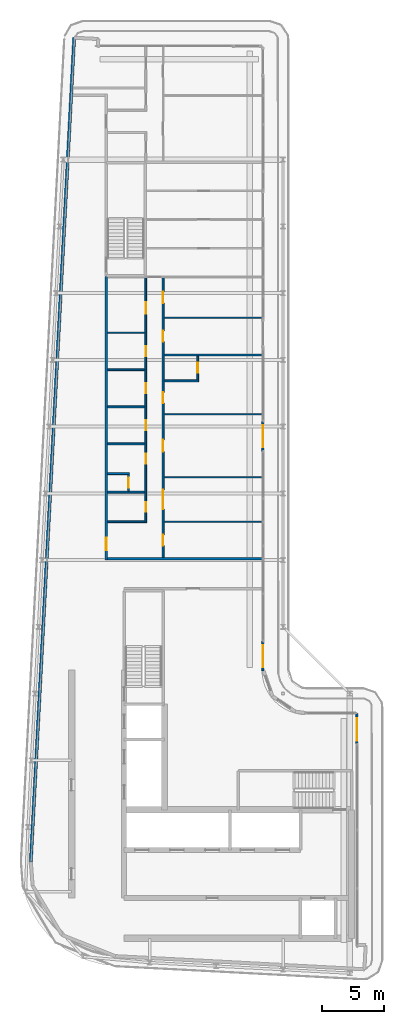
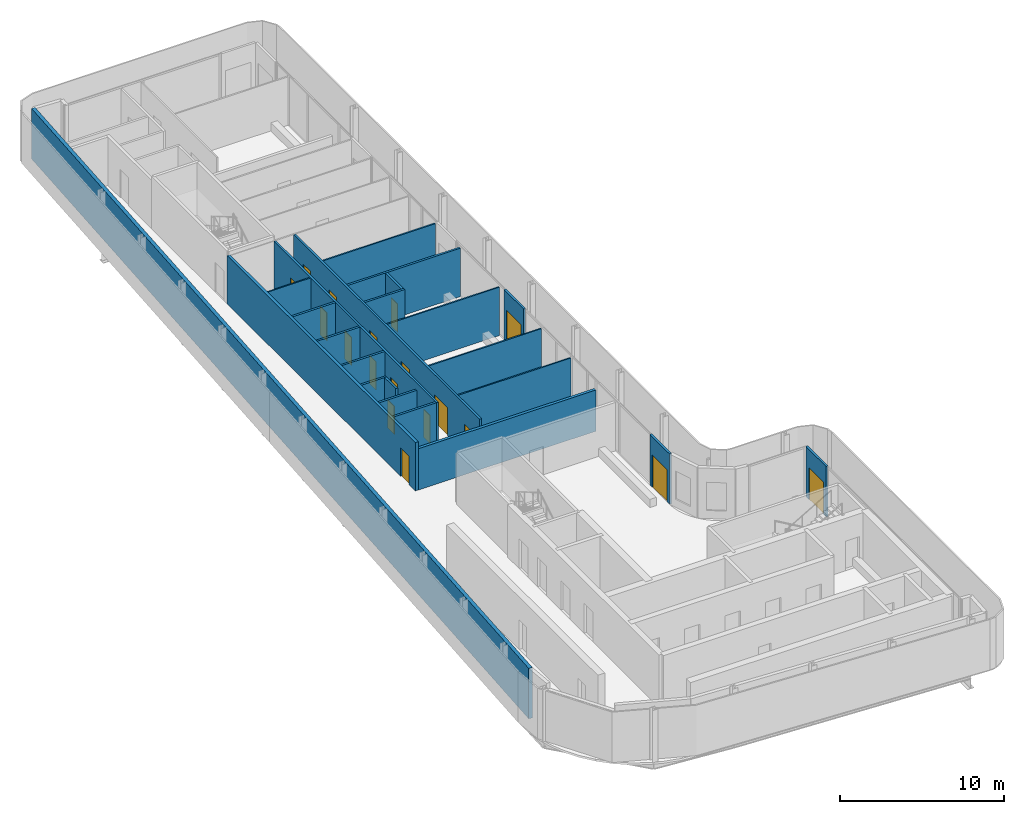
# One storey, part 10 of 18: 23 walls, 18 doors, 18 openings.
"""IFC4 building model written with IfcOpenShell, lengths in metres."""

import ifcopenshell
import ifcopenshell.guid

model = None  # the IFC model being written
_history = None  # IfcOwnerHistory: only IFC2X3 demands one
_inside = {}  # id of a spatial element -> (the spatial element, [elements in it])
_under = {}  # id of a project, library or spatial element -> (it, [spatial elements below it])
_declared = {}  # id of a project -> (the project, [libraries it declares])
_typed = {}  # id of a type object -> (the type object, [elements of that type])
_made_of = {}  # id of a material, layer set ... -> (it, [elements and type objects made of it])


def new_model(schema):
    """Start an empty IFC model of exactly this schema.

    Asked for "IFC4X3", IfcOpenShell would pick the latest addendum, in which some entities
    have other attributes; the version numbers below select the first issue.
    IFC2X3 requires an IfcOwnerHistory on every rooted entity: one is made here for all.
    """
    global model, _history
    if schema == "IFC4X3":
        model = ifcopenshell.file(schema_version=(4, 3, 0, 0))
    else:
        model = ifcopenshell.file(schema=schema)
    _inside.clear()
    _under.clear()
    _declared.clear()
    _typed.clear()
    _made_of.clear()
    _history = None
    if model.schema == "IFC2X3":
        org = make("IfcOrganization", Name="unknown")
        user = make(
            "IfcPersonAndOrganization",
            ThePerson=make("IfcPerson", FamilyName="unknown"),
            TheOrganization=org,
        )
        app = make(
            "IfcApplication",
            ApplicationDeveloper=org,
            Version="unknown",
            ApplicationFullName="unknown",
            ApplicationIdentifier="unknown",
        )
        _history = make(
            "IfcOwnerHistory",
            OwningUser=user,
            OwningApplication=app,
            ChangeAction="ADDED",
            CreationDate=0,
        )
    return model


def make(cls, **values):
    """One entity of the class cls with the attributes given. An attribute that is None is left unset."""
    return model.create_entity(
        cls, **{name: value for name, value in values.items() if value is not None}
    )


def rooted(cls, **values):
    """An entity with a GlobalId (a new one), such as an element, a storey or a relation."""
    return make(cls, GlobalId=ifcopenshell.guid.new(), OwnerHistory=_history, **values)


def si_unit(unit_type, name, prefix=None):
    """IfcSIUnit, for example si_unit("LENGTHUNIT", "METRE", prefix="MILLI")."""
    return make("IfcSIUnit", UnitType=unit_type, Prefix=prefix, Name=name)


def assignment(units):
    """IfcUnitAssignment: the units of a project."""
    return None if units is None else make("IfcUnitAssignment", Units=units)


def point(xyz):
    """IfcCartesianPoint."""
    return None if xyz is None else make("IfcCartesianPoint", Coordinates=xyz)


def direction(xyz):
    """IfcDirection."""
    return None if xyz is None else make("IfcDirection", DirectionRatios=xyz)


def frame(location, z_axis=None, x_axis=None):
    """IfcAxis2Placement3D, a coordinate frame: its origin and axes. An axis left out is left unset."""
    return make(
        "IfcAxis2Placement3D",
        Location=point(location),
        Axis=direction(z_axis),
        RefDirection=direction(x_axis),
    )


def frame_2d(location, x_axis=None):
    """IfcAxis2Placement2D, a coordinate frame in the plane: its origin and x axis."""
    return make(
        "IfcAxis2Placement2D", Location=point(location), RefDirection=direction(x_axis)
    )


def origin():
    """The frame at (0, 0, 0) with its axes left unset."""
    return frame((0.0, 0.0, 0.0))


def place(relative_to, where):
    """IfcLocalPlacement: puts the frame where relative to a parent placement (None: the world)."""
    return make(
        "IfcLocalPlacement", PlacementRelTo=relative_to, RelativePlacement=where
    )


def context(
    kind, dimensions, precision=None, world=None, true_north=None, identifier=None
):
    """IfcGeometricRepresentationContext, for example the 3D "Model" context."""
    return make(
        "IfcGeometricRepresentationContext",
        ContextIdentifier=identifier,
        ContextType=kind,
        CoordinateSpaceDimension=dimensions,
        Precision=precision,
        WorldCoordinateSystem=world,
        TrueNorth=true_north,
    )


def subcontext(parent, identifier, kind, view, scale=None):
    """IfcGeometricRepresentationSubContext, for example "Body" below "Model"."""
    return make(
        "IfcGeometricRepresentationSubContext",
        ContextIdentifier=identifier,
        ContextType=kind,
        ParentContext=parent,
        TargetScale=scale,
        TargetView=view,
    )


def project(units=None, contexts=None):
    """IfcProject with its units and contexts."""
    return rooted(
        "IfcProject",
        Name="project",
        RepresentationContexts=contexts,
        UnitsInContext=assignment(units),
    )


def spatial(cls, under=None, at=None, **own):
    """A site, building, storey or space (cls), placed at a placement, below another one or the project."""
    s = rooted(cls, ObjectPlacement=at, **own)
    if under is not None:
        _under.setdefault(under.id(), (under, []))[1].append(s)
    return s


def profile(cls, at=None, kind="AREA", **sizes):
    """A parametric profile (cls). Its sizes go by their IFC names, for example OverallWidth=200.0."""
    return make(cls, ProfileType=kind, Position=at, **sizes)


def rectangle(**sizes):
    """IfcRectangleProfileDef."""
    return profile("IfcRectangleProfileDef", **sizes)


def extrude(swept, where, along, depth):
    """IfcExtrudedAreaSolid: the profile swept, set in the frame where, extruded along a direction by depth."""
    return make(
        "IfcExtrudedAreaSolid",
        SweptArea=swept,
        Position=where,
        ExtrudedDirection=direction(along),
        Depth=depth,
    )


def shape(context_of_items, identifier, shape_type, items):
    """IfcShapeRepresentation: the items that make up one representation, for example the "Body"."""
    return make(
        "IfcShapeRepresentation",
        ContextOfItems=context_of_items,
        RepresentationIdentifier=identifier,
        RepresentationType=shape_type,
        Items=items,
    )


def source(mapping_origin, context_of_items, identifier, shape_type, items):
    """IfcRepresentationMap: a shape defined once, which mapped items show again and again."""
    return make(
        "IfcRepresentationMap",
        MappingOrigin=mapping_origin,
        MappedRepresentation=shape(context_of_items, identifier, shape_type, items),
    )


def transform(
    local_origin,
    x_axis=None,
    y_axis=None,
    z_axis=None,
    scale=None,
    scale2=None,
    scale3=None,
    uniform=True,
):
    """IfcCartesianTransformationOperator3D, or its non-uniform kind. x_axis, y_axis, z_axis: its Axis1, 2, 3."""
    if uniform:
        return make(
            "IfcCartesianTransformationOperator3D",
            Axis1=direction(x_axis),
            Axis2=direction(y_axis),
            LocalOrigin=point(local_origin),
            Scale=scale,
            Axis3=direction(z_axis),
        )
    return make(
        "IfcCartesianTransformationOperator3DnonUniform",
        Axis1=direction(x_axis),
        Axis2=direction(y_axis),
        LocalOrigin=point(local_origin),
        Scale=scale,
        Axis3=direction(z_axis),
        Scale2=scale2,
        Scale3=scale3,
    )


def mapped(mapping_source, mapping_target):
    """IfcMappedItem: shows the shape of a source again, moved by a transform."""
    return make(
        "IfcMappedItem", MappingSource=mapping_source, MappingTarget=mapping_target
    )


def material(Name=None, Category=None):
    """IfcMaterial."""
    return make("IfcMaterial", Name=Name, Category=Category)


def layer(
    of_material, thickness, ventilated=None, Name=None, Category=None, Priority=None
):
    """IfcMaterialLayer: one layer of a wall or slab, of a material (None: an air gap)."""
    return make(
        "IfcMaterialLayer",
        Material=of_material,
        LayerThickness=thickness,
        IsVentilated=ventilated,
        Name=Name,
        Category=Category,
        Priority=Priority,
    )


def layer_set(layers, Name=None):
    """IfcMaterialLayerSet."""
    return make("IfcMaterialLayerSet", MaterialLayers=layers, LayerSetName=Name)


def made_of(thing, what):
    """Note that an element or type object is made of a material, layer set ...; save() writes the relation."""
    if what is not None:
        _made_of.setdefault(what.id(), (what, []))[1].append(thing)
    return thing


def type_object(cls, material=None, **own):
    """A type object (cls), such as IfcWallType, which elements share."""
    return made_of(rooted(cls, **own), material)


def element(
    cls,
    number,
    at=None,
    inside=None,
    cuts=None,
    type_object=None,
    material=None,
    context=None,
    identifier="Body",
    shape_type=None,
    held_by="IfcProductDefinitionShape",
    body=None,
    shapes=None,
    **own,
):
    """One element of the class cls, such as IfcWall. Its Tag is "e" and its number.

    at: its placement. inside: the storey or other place that contains it. cuts: it is an
    opening in that element (IfcRelVoidsElement). A single representation is given by context,
    identifier, shape_type and body (its items); several are given by shapes. held_by: the class
    of the entity that holds the representations. save() writes the other relations.
    """
    e = rooted(cls, Tag="e%d" % number, ObjectPlacement=at, **own)
    if body is not None:
        shapes = [shape(context, identifier, shape_type, body)]
    if shapes is not None:
        e.Representation = make(held_by, Representations=shapes)
    if inside is not None:
        _inside.setdefault(inside.id(), (inside, []))[1].append(e)
    if cuts is not None:
        rooted(
            "IfcRelVoidsElement", RelatingBuildingElement=cuts, RelatedOpeningElement=e
        )
    if type_object is not None:
        _typed.setdefault(type_object.id(), (type_object, []))[1].append(e)
    return made_of(e, material)


def fill(opening, filler):
    """IfcRelFillsElement: the door or window that sits in an opening."""
    return rooted(
        "IfcRelFillsElement",
        RelatingOpeningElement=opening,
        RelatedBuildingElement=filler,
    )


def aggregate(whole, parts):
    """IfcRelAggregates: a whole, such as a stair, and the parts it consists of."""
    return rooted("IfcRelAggregates", RelatingObject=whole, RelatedObjects=parts)


def save(model, path):
    """Write the relations noted so far, then the file.

    IfcRelAggregates (storeys below a building ...), IfcRelContainedInSpatialStructure (elements
    in a storey), IfcRelDefinesByType, IfcRelAssociatesMaterial and IfcRelDeclares: one each for
    every whole, place, type object, material and project.
    """
    for whole, parts in _under.values():
        aggregate(whole, parts)
    for where, things in _inside.values():
        rooted(
            "IfcRelContainedInSpatialStructure",
            RelatedElements=things,
            RelatingStructure=where,
        )
    for kind, things in _typed.values():
        rooted("IfcRelDefinesByType", RelatedObjects=things, RelatingType=kind)
    for what, things in _made_of.values():
        rooted("IfcRelAssociatesMaterial", RelatedObjects=things, RelatingMaterial=what)
    for by, libraries in _declared.values():
        rooted("IfcRelDeclares", RelatingContext=by, RelatedDefinitions=libraries)
    model.write(path)


model = new_model("IFC4")

# Units and contexts
model_context = context("Model", 3, precision=1e-05, world=origin(), true_north=direction((0.0, 1.0)))
body_context = subcontext(model_context, "Body", "Model", "MODEL_VIEW")
ifc_project = project(units=[si_unit("LENGTHUNIT", "METRE"), si_unit("AREAUNIT", "SQUARE_METRE"), si_unit("VOLUMEUNIT", "CUBIC_METRE"), si_unit("PLANEANGLEUNIT", "RADIAN"), si_unit("MASSUNIT", "GRAM", prefix="KILO")], contexts=[model_context])

# Site, building, storey
site_placement = place(None, origin())
site = spatial("IfcSite", under=ifc_project, at=site_placement, CompositionType="ELEMENT")
building_placement = place(site_placement, origin())
building = spatial("IfcBuilding", under=site, at=building_placement, Name="Kheshtan School and Residences Tower", CompositionType="ELEMENT")
storey_placement = place(building_placement, frame((0.0, 0.0, 381.199951171875)))
storey = spatial("IfcBuildingStorey", under=building, at=storey_placement, Name="L90", CompositionType="ELEMENT", Elevation=381.199951171875)

# Wall, opening, door
ifc_material_1 = material(Name="Gypsum board on steel studs with fire boards", Category="steel")
ifc_layer_1 = layer(ifc_material_1, 0.199951171875)
ifc_layer_set_1 = layer_set([ifc_layer_1], Name="Corridor wall 200")
wall_type_1 = type_object("IfcWallType", Name="Corridor wall 200", PredefinedType="PARTITIONING", material=ifc_layer_set_1)
wall_1_placement = place(storey_placement, frame((33.300048828125, 56.39990234375, 0.0), z_axis=(0.0, 0.0, 1.0), x_axis=(0.0, 1.0, 0.0)))
wall_1 = element("IfcWall", 1, at=wall_1_placement, inside=storey, type_object=wall_type_1, Name="Partition L90-003", PredefinedType="PARTITIONING", context=body_context, shape_type="SweptSolid", body=[
    extrude(rectangle(XDim=22.9501953125, YDim=0.199951171875, at=frame_2d((11.47509765625, 0.0))), origin(), (0.0, 0.0, 1.0), 3.60009765625),
])
opening_1_placement = place(wall_1_placement, frame((0.800048828125, 0.0, 0.0)))
opening_1 = element("IfcOpeningElement", 2, at=opening_1_placement, cuts=wall_1, Name="Opening D90-008", PredefinedType="OPENING", context=body_context, shape_type="SweptSolid", body=[
    extrude(rectangle(XDim=1.0, YDim=2.10009765625, at=frame_2d((0.5, 1.050048828125))), frame((0.0, 0.10986328125, 0.0), z_axis=(0.0, -1.0, 0.0), x_axis=(1.0, 0.0, 0.0)), (0.0, 0.0, 1.0), 0.219970703125),
])
ifc_material_2 = material(Name="Steel-framed fire-resisting door leaf", Category="steel")
door_type_1 = type_object("IfcDoorType", Name="Fire door FD30S 1000 x 2100", OperationType="SINGLE_SWING_LEFT", PredefinedType="DOOR", material=ifc_material_2)
shared_shape_1 = source(origin(), body_context, "Body", "SweptSolid", [
    extrude(rectangle(XDim=1.0, YDim=2.10009765625, at=frame_2d((0.5, 1.050048828125))), frame((0.0, 0.02490234375, 0.0), z_axis=(0.0, -1.0, 0.0), x_axis=(1.0, 0.0, 0.0)), (0.0, 0.0, 1.0), 0.050048828125),
])
door_1_placement = place(opening_1_placement, origin())
door_1 = element("IfcDoor", 3, at=door_1_placement, inside=storey, type_object=door_type_1, Name="Door D90-008", OperationType="SINGLE_SWING_RIGHT", OverallHeight=2.10009765625, OverallWidth=1.0, PredefinedType="DOOR", context=body_context, shape_type="MappedRepresentation", body=[
    mapped(shared_shape_1, transform((0.0, 0.0, 0.0), x_axis=(1.0, 0.0, 0.0), y_axis=(0.0, 1.0, 0.0), z_axis=(0.0, 0.0, 1.0), scale=1.0)),
])
fill(opening_1, door_1)

# Walls
wall_2_placement = place(storey_placement, frame((33.39990234375, 56.5, 0.0), z_axis=(0.0, 0.0, 1.0), x_axis=(1.0, 0.0, 0.0)))
element("IfcWall", 4, at=wall_2_placement, inside=storey, type_object=wall_type_1, Name="Partition L90-005", PredefinedType="PARTITIONING", context=body_context, shape_type="SweptSolid", body=[
    extrude(rectangle(XDim=12.5, YDim=0.199951171875, at=frame_2d((6.25, 0.0))), origin(), (0.0, 0.0, 1.0), 3.072021484375),
])
ifc_material_3 = material(Name="Concrete C40/50 with ceramic cladding and mineral wool insulation", Category="concrete")
ifc_layer_2 = layer(ifc_material_3, 0.25)
ifc_layer_set_2 = layer_set([ifc_layer_2], Name="External wall 250 ceramic clad")
wall_type_2 = type_object("IfcWallType", Name="External wall 250 ceramic clad", PredefinedType="SOLIDWALL", material=ifc_layer_set_2)
wall_3_placement = place(storey_placement, frame((27.195068359375, 31.968994140625, 0.0), z_axis=(0.0, 0.0, 1.0), x_axis=(0.052554995867, 0.998618031286, 0.0)))
element("IfcWall", 5, at=wall_3_placement, inside=storey, type_object=wall_type_2, Name="External wall L90 4", PredefinedType="SOLIDWALL", context=body_context, shape_type="SweptSolid", body=[
    extrude(rectangle(XDim=66.787353515625, YDim=0.25, at=frame_2d((33.3935546875, 0.0))), origin(), (0.0, 0.0, 1.0), 3.75),
])

# Wall, opening, door
ifc_material_4 = material(Name="Aluminium frame wall with insulated infill", Category="aluminium")
ifc_layer_3 = layer(ifc_material_4, 0.14990234375)
ifc_layer_set_3 = layer_set([ifc_layer_3], Name="Glazing frame wall 150")
wall_type_3 = type_object("IfcWallType", Name="Glazing frame wall 150", PredefinedType="SOLIDWALL", material=ifc_layer_set_3)
wall_4_placement = place(storey_placement, frame((45.97509765625, 67.617919921875, 0.0), z_axis=(0.0, 0.0, 1.0), x_axis=(0.0, -1.0, 0.0)))
wall_4 = element("IfcWall", 6, at=wall_4_placement, inside=storey, type_object=wall_type_3, Name="Balcony door wall L90 8.4", PredefinedType="SOLIDWALL", context=body_context, shape_type="SweptSolid", body=[
    extrude(rectangle(XDim=2.39990234375, YDim=0.14990234375, at=frame_2d((1.199951171875, 0.0))), origin(), (0.0, 0.0, 1.0), 3.75),
])
opening_2_placement = place(wall_4_placement, frame((0.300048828125, 0.0, 0.0)))
opening_2 = element("IfcOpeningElement", 7, at=opening_2_placement, cuts=wall_4, Name="Opening BD", PredefinedType="OPENING", context=body_context, shape_type="SweptSolid", body=[
    extrude(rectangle(XDim=1.800048828125, YDim=2.39990234375, at=frame_2d((0.89990234375, 1.199951171875))), frame((0.0, 0.0849609375, 0.0), z_axis=(0.0, -1.0, 0.0), x_axis=(1.0, 0.0, 0.0)), (0.0, 0.0, 1.0), 0.169921875),
])
ifc_material_5 = material(Name="Clear low-e glass in thermally broken aluminium frame", Category="aluminium")
door_type_2 = type_object("IfcDoorType", Name="Balcony sliding door", OperationType="SLIDING_TO_LEFT", PredefinedType="DOOR", material=ifc_material_5)
shared_shape_2 = source(origin(), body_context, "Body", "SweptSolid", [
    extrude(rectangle(XDim=1.800048828125, YDim=2.39990234375, at=frame_2d((0.89990234375, 1.199951171875))), frame((0.0, 0.02490234375, 0.0), z_axis=(0.0, -1.0, 0.0), x_axis=(1.0, 0.0, 0.0)), (0.0, 0.0, 1.0), 0.050048828125),
])
door_2_placement = place(opening_2_placement, origin())
door_2 = element("IfcDoor", 8, at=door_2_placement, inside=storey, type_object=door_type_2, Name="Balcony door L90 8.4", OperationType="SLIDING_TO_LEFT", OverallHeight=2.39990234375, OverallWidth=1.800048828125, PredefinedType="DOOR", context=body_context, shape_type="MappedRepresentation", body=[
    mapped(shared_shape_2, transform((0.0, 0.0, 0.0), x_axis=(1.0, 0.0, 0.0), y_axis=(0.0, 1.0, 0.0), z_axis=(0.0, 0.0, 1.0), scale=1.0)),
])
fill(opening_2, door_2)

wall_5_placement = place(storey_placement, frame((45.97509765625, 49.830078125, 0.0), z_axis=(0.0, 0.0, 1.0), x_axis=(0.0, -1.0, 0.0)))
wall_5 = element("IfcWall", 9, at=wall_5_placement, inside=storey, type_object=wall_type_3, Name="Balcony door wall L90 8.5", PredefinedType="SOLIDWALL", context=body_context, shape_type="SweptSolid", body=[
    extrude(rectangle(XDim=2.400146484375, YDim=0.14990234375, at=frame_2d((1.2001953125, 0.0))), origin(), (0.0, 0.0, 1.0), 3.75),
])
opening_3_placement = place(wall_5_placement, frame((0.300048828125, 0.0, 0.0)))
opening_3 = element("IfcOpeningElement", 10, at=opening_3_placement, cuts=wall_5, Name="Opening BD", PredefinedType="OPENING", context=body_context, shape_type="SweptSolid", body=[
    extrude(rectangle(XDim=1.800048828125, YDim=2.39990234375, at=frame_2d((0.89990234375, 1.199951171875))), frame((0.0, 0.0849609375, 0.0), z_axis=(0.0, -1.0, 0.0), x_axis=(1.0, 0.0, 0.0)), (0.0, 0.0, 1.0), 0.169921875),
])
door_3_placement = place(opening_3_placement, origin())
door_3 = element("IfcDoor", 11, at=door_3_placement, inside=storey, type_object=door_type_2, Name="Balcony door L90 8.5", OperationType="SLIDING_TO_LEFT", OverallHeight=2.39990234375, OverallWidth=1.800048828125, PredefinedType="DOOR", context=body_context, shape_type="MappedRepresentation", body=[
    mapped(shared_shape_2, transform((0.0, 0.0, 0.0), x_axis=(1.0, 0.0, 0.0), y_axis=(0.0, 1.0, 0.0), z_axis=(0.0, 0.0, 1.0), scale=1.0)),
])
fill(opening_3, door_3)

wall_6_placement = place(storey_placement, frame((53.574951171875, 43.970947265625, 0.0), z_axis=(0.0, 0.0, 1.0), x_axis=(0.0, -1.0, 0.0)))
wall_6 = element("IfcWall", 12, at=wall_6_placement, inside=storey, type_object=wall_type_3, Name="Balcony door wall L90 13.1", PredefinedType="SOLIDWALL", context=body_context, shape_type="SweptSolid", body=[
    extrude(rectangle(XDim=2.470947265625, YDim=0.14990234375, at=frame_2d((1.2353515625, 0.0))), origin(), (0.0, 0.0, 1.0), 3.75),
])
opening_4_placement = place(wall_6_placement, frame((0.37109375, 0.0, 0.0)))
opening_4 = element("IfcOpeningElement", 13, at=opening_4_placement, cuts=wall_6, Name="Opening BD", PredefinedType="OPENING", context=body_context, shape_type="SweptSolid", body=[
    extrude(rectangle(XDim=1.800048828125, YDim=2.39990234375, at=frame_2d((0.89990234375, 1.199951171875))), frame((0.0, 0.0849609375, 0.0), z_axis=(0.0, -1.0, 0.0), x_axis=(1.0, 0.0, 0.0)), (0.0, 0.0, 1.0), 0.169921875),
])
door_4_placement = place(opening_4_placement, origin())
door_4 = element("IfcDoor", 14, at=door_4_placement, inside=storey, type_object=door_type_2, Name="Balcony door L90 13.1", OperationType="SLIDING_TO_LEFT", OverallHeight=2.39990234375, OverallWidth=1.800048828125, PredefinedType="DOOR", context=body_context, shape_type="MappedRepresentation", body=[
    mapped(shared_shape_2, transform((0.0, 0.0, 0.0), x_axis=(1.0, 0.0, 0.0), y_axis=(0.0, 1.0, 0.0), z_axis=(0.0, 0.0, 1.0), scale=1.0)),
])
fill(opening_4, door_4)

# Walls
ifc_material_6 = material(Name="Gypsum board on steel studs", Category="steel")
ifc_layer_4 = layer(ifc_material_6, 0.10009765625)
ifc_layer_set_4 = layer_set([ifc_layer_4], Name="Gypsum partition 100")
wall_type_4 = type_object("IfcWallType", Name="Gypsum partition 100", PredefinedType="PARTITIONING", material=ifc_layer_set_4)
wall_7_placement = place(storey_placement, frame((33.39990234375, 74.800048828125, 0.0), z_axis=(0.0, 0.0, 1.0), x_axis=(1.0, 0.0, 0.0)))
element("IfcWall", 15, at=wall_7_placement, inside=storey, type_object=wall_type_4, Name="Partition L90-012", PredefinedType="PARTITIONING", context=body_context, shape_type="SweptSolid", body=[
    extrude(rectangle(XDim=3.025146484375, YDim=0.10009765625, at=frame_2d((1.5126953125, 0.0))), origin(), (0.0, 0.0, 1.0), 3.60009765625),
])
for number, where, z_axis, x_axis, name in (
    (16, (37.97509765625, 59.5, 0.0), (0.0, 0.0, 1.0), (1.0, 0.0, 0.0), "Partition L90-028"),
    (17, (37.97509765625, 63.10009765625, 0.0), (0.0, 0.0, 1.0), (1.0, 0.0, 0.0), "Partition L90-029"),
    (18, (37.97509765625, 68.199951171875, 0.0), (0.0, 0.0, 1.0), (1.0, 0.0, 0.0), "Partition L90-030"),
    (19, (37.97509765625, 76.0, 0.0), (0.0, 0.0, 1.0), (1.0, 0.0, 0.0), "Partition L90-033"),
):
    element("IfcWall", number, at=place(storey_placement, frame(where, z_axis=z_axis, x_axis=x_axis)), inside=storey, type_object=wall_type_4, Name=name, PredefinedType="PARTITIONING", context=body_context, shape_type="SweptSolid", body=[
        extrude(rectangle(XDim=7.9248046875, YDim=0.10009765625, at=frame_2d((3.96240234375, 0.0))), origin(), (0.0, 0.0, 1.0), 3.60009765625),
    ])
ifc_material_7 = material(Name="Moisture-resistant gypsum board on steel studs", Category="steel")
ifc_layer_5 = layer(ifc_material_7, 0.14990234375)
ifc_layer_set_5 = layer_set([ifc_layer_5], Name="Wet-room partition 150")
wall_type_5 = type_object("IfcWallType", Name="Wet-room partition 150", PredefinedType="PARTITIONING", material=ifc_layer_set_5)
wall_8_placement = place(storey_placement, frame((33.39990234375, 59.5, 0.0), z_axis=(0.0, 0.0, 1.0), x_axis=(1.0, 0.0, 0.0)))
element("IfcWall", 20, at=wall_8_placement, inside=storey, type_object=wall_type_5, Name="Partition L90-006", PredefinedType="PARTITIONING", context=body_context, shape_type="SweptSolid", body=[
    extrude(rectangle(XDim=3.025146484375, YDim=0.14990234375, at=frame_2d((1.5126953125, 0.0))), origin(), (0.0, 0.0, 1.0), 3.60009765625),
])
wall_9_placement = place(storey_placement, frame((33.39990234375, 61.89990234375, 0.0), z_axis=(0.0, 0.0, 1.0), x_axis=(1.0, 0.0, 0.0)))
element("IfcWall", 21, at=wall_9_placement, inside=storey, type_object=wall_type_5, Name="Partition L90-007", PredefinedType="PARTITIONING", context=body_context, shape_type="SweptSolid", body=[
    extrude(rectangle(XDim=3.025146484375, YDim=0.14990234375, at=frame_2d((1.5126953125, 0.0))), origin(), (0.0, 0.0, 1.0), 3.072021484375),
])
wall_10_placement = place(storey_placement, frame((33.39990234375, 63.39990234375, 0.0), z_axis=(0.0, 0.0, 1.0), x_axis=(1.0, 0.0, 0.0)))
element("IfcWall", 22, at=wall_10_placement, inside=storey, type_object=wall_type_5, Name="Partition L90-008", PredefinedType="PARTITIONING", context=body_context, shape_type="SweptSolid", body=[
    extrude(rectangle(XDim=1.775146484375, YDim=0.14990234375, at=frame_2d((0.8876953125, 0.0))), origin(), (0.0, 0.0, 1.0), 3.60009765625),
])
for number, where, z_axis, x_axis, name in (
    (23, (33.39990234375, 65.800048828125, 0.0), (0.0, 0.0, 1.0), (1.0, 0.0, 0.0), "Partition L90-009"),
    (24, (33.39990234375, 68.800048828125, 0.0), (0.0, 0.0, 1.0), (1.0, 0.0, 0.0), "Partition L90-010"),
    (25, (33.39990234375, 71.800048828125, 0.0), (0.0, 0.0, 1.0), (1.0, 0.0, 0.0), "Partition L90-011"),
):
    element("IfcWall", number, at=place(storey_placement, frame(where, z_axis=z_axis, x_axis=x_axis)), inside=storey, type_object=wall_type_5, Name=name, PredefinedType="PARTITIONING", context=body_context, shape_type="SweptSolid", body=[
        extrude(rectangle(XDim=3.025146484375, YDim=0.14990234375, at=frame_2d((1.5126953125, 0.0))), origin(), (0.0, 0.0, 1.0), 3.60009765625),
    ])

# Wall, opening, door
wall_11_placement = place(storey_placement, frame((35.10009765625, 61.97509765625, 0.0), z_axis=(0.0, 0.0, 1.0), x_axis=(0.0, 1.0, 0.0)))
wall_11 = element("IfcWall", 26, at=wall_11_placement, inside=storey, type_object=wall_type_5, Name="Partition L90-017", PredefinedType="PARTITIONING", context=body_context, shape_type="SweptSolid", body=[
    extrude(rectangle(XDim=1.349853515625, YDim=0.14990234375, at=frame_2d((0.6748046875, 0.0))), origin(), (0.0, 0.0, 1.0), 3.60009765625),
])
opening_5_placement = place(wall_11_placement, frame((0.27490234375, 0.0, 0.0)))
opening_5 = element("IfcOpeningElement", 27, at=opening_5_placement, cuts=wall_11, Name="Opening D90-012", PredefinedType="OPENING", context=body_context, shape_type="SweptSolid", body=[
    extrude(rectangle(XDim=0.800048828125, YDim=2.10009765625, at=frame_2d((0.39990234375, 1.050048828125))), frame((0.0, 0.0849609375, 0.0), z_axis=(0.0, -1.0, 0.0), x_axis=(1.0, 0.0, 0.0)), (0.0, 0.0, 1.0), 0.169921875),
])
ifc_material_8 = material(Name="Veneered timber door leaf", Category="wood")
door_type_3 = type_object("IfcDoorType", Name="Door 800 x 2100", OperationType="SINGLE_SWING_LEFT", PredefinedType="DOOR", material=ifc_material_8)
shared_shape_3 = source(origin(), body_context, "Body", "SweptSolid", [
    extrude(rectangle(XDim=0.800048828125, YDim=2.10009765625, at=frame_2d((0.39990234375, 1.050048828125))), frame((0.0, 0.02490234375, 0.0), z_axis=(0.0, -1.0, 0.0), x_axis=(1.0, 0.0, 0.0)), (0.0, 0.0, 1.0), 0.050048828125),
])
door_5_placement = place(opening_5_placement, origin())
door_5 = element("IfcDoor", 28, at=door_5_placement, inside=storey, type_object=door_type_3, Name="Door D90-012", OperationType="SINGLE_SWING_LEFT", OverallHeight=2.10009765625, OverallWidth=0.800048828125, PredefinedType="DOOR", context=body_context, shape_type="MappedRepresentation", body=[
    mapped(shared_shape_3, transform((0.0, 0.0, 0.0), x_axis=(1.0, 0.0, 0.0), y_axis=(0.0, 1.0, 0.0), z_axis=(0.0, 0.0, 1.0), scale=1.0)),
])
fill(opening_5, door_5)

# Wall, openings, doors
wall_12_placement = place(storey_placement, frame((36.5, 59.425048828125, 0.0), z_axis=(0.0, 0.0, 1.0), x_axis=(0.0, 1.0, 0.0)))
wall_12 = element("IfcWall", 29, at=wall_12_placement, inside=storey, type_object=wall_type_5, Name="Partition L90-019", PredefinedType="PARTITIONING", context=body_context, shape_type="SweptSolid", body=[
    extrude(rectangle(XDim=19.824951171875, YDim=0.14990234375, at=frame_2d((9.91259765625, 0.0))), origin(), (0.0, 0.0, 1.0), 3.60009765625),
])
opening_6_placement = place(wall_12_placement, frame((7.47509765625, 0.0, 0.0)))
opening_6 = element("IfcOpeningElement", 30, at=opening_6_placement, cuts=wall_12, Name="Opening D90-001", PredefinedType="OPENING", context=body_context, shape_type="SweptSolid", body=[
    extrude(rectangle(XDim=0.800048828125, YDim=2.10009765625, at=frame_2d((0.39990234375, 1.050048828125))), frame((0.0, 0.0849609375, 0.0), z_axis=(0.0, -1.0, 0.0), x_axis=(1.0, 0.0, 0.0)), (0.0, 0.0, 1.0), 0.169921875),
])
opening_7_placement = place(wall_12_placement, frame((10.47509765625, 0.0, 0.0)))
opening_7 = element("IfcOpeningElement", 31, at=opening_7_placement, cuts=wall_12, Name="Opening D90-002", PredefinedType="OPENING", context=body_context, shape_type="SweptSolid", body=[
    extrude(rectangle(XDim=0.800048828125, YDim=2.10009765625, at=frame_2d((0.39990234375, 1.050048828125))), frame((0.0, 0.0849609375, 0.0), z_axis=(0.0, -1.0, 0.0), x_axis=(1.0, 0.0, 0.0)), (0.0, 0.0, 1.0), 0.169921875),
])
opening_8_placement = place(wall_12_placement, frame((13.47509765625, 0.0, 0.0)))
opening_8 = element("IfcOpeningElement", 32, at=opening_8_placement, cuts=wall_12, Name="Opening D90-006", PredefinedType="OPENING", context=body_context, shape_type="SweptSolid", body=[
    extrude(rectangle(XDim=0.800048828125, YDim=2.10009765625, at=frame_2d((0.39990234375, 1.050048828125))), frame((0.0, 0.0849609375, 0.0), z_axis=(0.0, -1.0, 0.0), x_axis=(1.0, 0.0, 0.0)), (0.0, 0.0, 1.0), 0.169921875),
])
opening_9_placement = place(wall_12_placement, frame((16.925048828125, 0.0, 0.0)))
opening_9 = element("IfcOpeningElement", 33, at=opening_9_placement, cuts=wall_12, Name="Opening D90-009", PredefinedType="OPENING", context=body_context, shape_type="SweptSolid", body=[
    extrude(rectangle(XDim=0.89990234375, YDim=2.10009765625, at=frame_2d((0.449951171875, 1.050048828125))), frame((0.0, 0.0849609375, 0.0), z_axis=(0.0, -1.0, 0.0), x_axis=(1.0, 0.0, 0.0)), (0.0, 0.0, 1.0), 0.169921875),
])
opening_10_placement = place(wall_12_placement, frame((4.77490234375, 0.0, 0.0)))
opening_10 = element("IfcOpeningElement", 34, at=opening_10_placement, cuts=wall_12, Name="Opening D90-011", PredefinedType="OPENING", context=body_context, shape_type="SweptSolid", body=[
    extrude(rectangle(XDim=0.800048828125, YDim=2.10009765625, at=frame_2d((0.39990234375, 1.050048828125))), frame((0.0, 0.0849609375, 0.0), z_axis=(0.0, -1.0, 0.0), x_axis=(1.0, 0.0, 0.0)), (0.0, 0.0, 1.0), 0.169921875),
])
opening_11_placement = place(wall_12_placement, frame((0.875, 0.0, 0.0)))
opening_11 = element("IfcOpeningElement", 35, at=opening_11_placement, cuts=wall_12, Name="Opening D90-015", PredefinedType="OPENING", context=body_context, shape_type="SweptSolid", body=[
    extrude(rectangle(XDim=0.800048828125, YDim=2.10009765625, at=frame_2d((0.39990234375, 1.050048828125))), frame((0.0, 0.0849609375, 0.0), z_axis=(0.0, -1.0, 0.0), x_axis=(1.0, 0.0, 0.0)), (0.0, 0.0, 1.0), 0.169921875),
])
door_6_placement = place(opening_6_placement, origin())
door_6 = element("IfcDoor", 36, at=door_6_placement, inside=storey, type_object=door_type_3, Name="Door D90-001", OperationType="SINGLE_SWING_LEFT", OverallHeight=2.10009765625, OverallWidth=0.800048828125, PredefinedType="DOOR", context=body_context, shape_type="MappedRepresentation", body=[
    mapped(shared_shape_3, transform((0.0, 0.0, 0.0), x_axis=(1.0, 0.0, 0.0), y_axis=(0.0, 1.0, 0.0), z_axis=(0.0, 0.0, 1.0), scale=1.0)),
])
fill(opening_6, door_6)
door_7_placement = place(opening_7_placement, origin())
door_7 = element("IfcDoor", 37, at=door_7_placement, inside=storey, type_object=door_type_3, Name="Door D90-002", OperationType="SINGLE_SWING_LEFT", OverallHeight=2.10009765625, OverallWidth=0.800048828125, PredefinedType="DOOR", context=body_context, shape_type="MappedRepresentation", body=[
    mapped(shared_shape_3, transform((0.0, 0.0, 0.0), x_axis=(1.0, 0.0, 0.0), y_axis=(0.0, 1.0, 0.0), z_axis=(0.0, 0.0, 1.0), scale=1.0)),
])
fill(opening_7, door_7)
door_8_placement = place(opening_8_placement, origin())
door_8 = element("IfcDoor", 38, at=door_8_placement, inside=storey, type_object=door_type_3, Name="Door D90-006", OperationType="SINGLE_SWING_LEFT", OverallHeight=2.10009765625, OverallWidth=0.800048828125, PredefinedType="DOOR", context=body_context, shape_type="MappedRepresentation", body=[
    mapped(shared_shape_3, transform((0.0, 0.0, 0.0), x_axis=(1.0, 0.0, 0.0), y_axis=(0.0, 1.0, 0.0), z_axis=(0.0, 0.0, 1.0), scale=1.0)),
])
fill(opening_8, door_8)
door_9_placement = place(opening_10_placement, origin())
door_9 = element("IfcDoor", 39, at=door_9_placement, inside=storey, type_object=door_type_3, Name="Door D90-011", OperationType="SINGLE_SWING_RIGHT", OverallHeight=2.10009765625, OverallWidth=0.800048828125, PredefinedType="DOOR", context=body_context, shape_type="MappedRepresentation", body=[
    mapped(shared_shape_3, transform((0.0, 0.0, 0.0), x_axis=(1.0, 0.0, 0.0), y_axis=(0.0, 1.0, 0.0), z_axis=(0.0, 0.0, 1.0), scale=1.0)),
])
fill(opening_10, door_9)
door_10_placement = place(opening_11_placement, origin())
door_10 = element("IfcDoor", 40, at=door_10_placement, inside=storey, type_object=door_type_3, Name="Door D90-015", OperationType="SINGLE_SWING_LEFT", OverallHeight=2.10009765625, OverallWidth=0.800048828125, PredefinedType="DOOR", context=body_context, shape_type="MappedRepresentation", body=[
    mapped(shared_shape_3, transform((0.0, 0.0, 0.0), x_axis=(1.0, 0.0, 0.0), y_axis=(0.0, 1.0, 0.0), z_axis=(0.0, 0.0, 1.0), scale=1.0)),
])
fill(opening_11, door_10)
door_type_4 = type_object("IfcDoorType", Name="Door 900 x 2100", OperationType="SINGLE_SWING_LEFT", PredefinedType="DOOR", material=ifc_material_8)
shared_shape_4 = source(origin(), body_context, "Body", "SweptSolid", [
    extrude(rectangle(XDim=0.89990234375, YDim=2.10009765625, at=frame_2d((0.449951171875, 1.050048828125))), frame((0.0, 0.02490234375, 0.0), z_axis=(0.0, -1.0, 0.0), x_axis=(1.0, 0.0, 0.0)), (0.0, 0.0, 1.0), 0.050048828125),
])
door_11_placement = place(opening_9_placement, origin())
door_11 = element("IfcDoor", 41, at=door_11_placement, inside=storey, type_object=door_type_4, Name="Door D90-009", OperationType="SINGLE_SWING_LEFT", OverallHeight=2.10009765625, OverallWidth=0.89990234375, PredefinedType="DOOR", context=body_context, shape_type="MappedRepresentation", body=[
    mapped(shared_shape_4, transform((0.0, 0.0, 0.0), x_axis=(1.0, 0.0, 0.0), y_axis=(0.0, 1.0, 0.0), z_axis=(0.0, 0.0, 1.0), scale=1.0)),
])
fill(opening_9, door_11)

wall_13_placement = place(storey_placement, frame((37.89990234375, 56.60009765625, 0.0), z_axis=(0.0, 0.0, 1.0), x_axis=(0.0, 1.0, 0.0)))
wall_13 = element("IfcWall", 42, at=wall_13_placement, inside=storey, type_object=wall_type_5, Name="Partition L90-025", PredefinedType="PARTITIONING", context=body_context, shape_type="SweptSolid", body=[
    extrude(rectangle(XDim=22.64990234375, YDim=0.14990234375, at=frame_2d((11.324951171875, 0.0))), origin(), (0.0, 0.0, 1.0), 3.60009765625),
])
opening_12_placement = place(wall_13_placement, frame((0.949951171875, 0.0, 0.0)))
opening_12 = element("IfcOpeningElement", 43, at=opening_12_placement, cuts=wall_13, Name="Opening D90-003", PredefinedType="OPENING", context=body_context, shape_type="SweptSolid", body=[
    extrude(rectangle(XDim=0.89990234375, YDim=2.10009765625, at=frame_2d((0.449951171875, 1.050048828125))), frame((0.0, 0.0849609375, 0.0), z_axis=(0.0, -1.0, 0.0), x_axis=(1.0, 0.0, 0.0)), (0.0, 0.0, 1.0), 0.169921875),
])
opening_13_placement = place(wall_13_placement, frame((17.449951171875, 0.0, 0.0)))
opening_13 = element("IfcOpeningElement", 44, at=opening_13_placement, cuts=wall_13, Name="Opening D90-004", PredefinedType="OPENING", context=body_context, shape_type="SweptSolid", body=[
    extrude(rectangle(XDim=0.89990234375, YDim=2.10009765625, at=frame_2d((0.449951171875, 1.050048828125))), frame((0.0, 0.0849609375, 0.0), z_axis=(0.0, -1.0, 0.0), x_axis=(1.0, 0.0, 0.0)), (0.0, 0.0, 1.0), 0.169921875),
])
opening_14_placement = place(wall_13_placement, frame((20.60009765625, 0.0, 0.0)))
opening_14 = element("IfcOpeningElement", 45, at=opening_14_placement, cuts=wall_13, Name="Opening D90-005", PredefinedType="OPENING", context=body_context, shape_type="SweptSolid", body=[
    extrude(rectangle(XDim=0.89990234375, YDim=2.10009765625, at=frame_2d((0.449951171875, 1.050048828125))), frame((0.0, 0.0849609375, 0.0), z_axis=(0.0, -1.0, 0.0), x_axis=(1.0, 0.0, 0.0)), (0.0, 0.0, 1.0), 0.169921875),
])
opening_15_placement = place(wall_13_placement, frame((8.550048828125, 0.0, 0.0)))
opening_15 = element("IfcOpeningElement", 46, at=opening_15_placement, cuts=wall_13, Name="Opening D90-010", PredefinedType="OPENING", context=body_context, shape_type="SweptSolid", body=[
    extrude(rectangle(XDim=1.0, YDim=2.10009765625, at=frame_2d((0.5, 1.050048828125))), frame((0.0, 0.0849609375, 0.0), z_axis=(0.0, -1.0, 0.0), x_axis=(1.0, 0.0, 0.0)), (0.0, 0.0, 1.0), 0.169921875),
])
opening_16_placement = place(wall_13_placement, frame((3.89990234375, 0.0, 0.0)))
opening_16 = element("IfcOpeningElement", 47, at=opening_16_placement, cuts=wall_13, Name="Opening D90-013", PredefinedType="OPENING", context=body_context, shape_type="SweptSolid", body=[
    extrude(rectangle(XDim=1.60009765625, YDim=2.10009765625, at=frame_2d((0.800048828125, 1.050048828125))), frame((0.0, 0.0849609375, 0.0), z_axis=(0.0, -1.0, 0.0), x_axis=(1.0, 0.0, 0.0)), (0.0, 0.0, 1.0), 0.169921875),
])
opening_17_placement = place(wall_13_placement, frame((12.5, 0.0, 0.0)))
opening_17 = element("IfcOpeningElement", 48, at=opening_17_placement, cuts=wall_13, Name="Opening D90-014", PredefinedType="OPENING", context=body_context, shape_type="SweptSolid", body=[
    extrude(rectangle(XDim=0.89990234375, YDim=2.10009765625, at=frame_2d((0.449951171875, 1.050048828125))), frame((0.0, 0.0849609375, 0.0), z_axis=(0.0, -1.0, 0.0), x_axis=(1.0, 0.0, 0.0)), (0.0, 0.0, 1.0), 0.169921875),
])
door_type_5 = type_object("IfcDoorType", Name="Door 1000 x 2100", OperationType="SINGLE_SWING_LEFT", PredefinedType="DOOR", material=ifc_material_8)
shared_shape_5 = source(origin(), body_context, "Body", "SweptSolid", [
    extrude(rectangle(XDim=1.0, YDim=2.10009765625, at=frame_2d((0.5, 1.050048828125))), frame((0.0, 0.02490234375, 0.0), z_axis=(0.0, -1.0, 0.0), x_axis=(1.0, 0.0, 0.0)), (0.0, 0.0, 1.0), 0.050048828125),
])
door_12_placement = place(opening_15_placement, origin())
door_12 = element("IfcDoor", 49, at=door_12_placement, inside=storey, type_object=door_type_5, Name="Door D90-010", OperationType="SINGLE_SWING_LEFT", OverallHeight=2.10009765625, OverallWidth=1.0, PredefinedType="DOOR", context=body_context, shape_type="MappedRepresentation", body=[
    mapped(shared_shape_5, transform((0.0, 0.0, 0.0), x_axis=(1.0, 0.0, 0.0), y_axis=(0.0, 1.0, 0.0), z_axis=(0.0, 0.0, 1.0), scale=1.0)),
])
fill(opening_15, door_12)
door_13_placement = place(opening_12_placement, origin())
door_13 = element("IfcDoor", 50, at=door_13_placement, inside=storey, type_object=door_type_4, Name="Door D90-003", OperationType="SINGLE_SWING_LEFT", OverallHeight=2.10009765625, OverallWidth=0.89990234375, PredefinedType="DOOR", context=body_context, shape_type="MappedRepresentation", body=[
    mapped(shared_shape_4, transform((0.0, 0.0, 0.0), x_axis=(1.0, 0.0, 0.0), y_axis=(0.0, 1.0, 0.0), z_axis=(0.0, 0.0, 1.0), scale=1.0)),
])
fill(opening_12, door_13)
door_14_placement = place(opening_13_placement, origin())
door_14 = element("IfcDoor", 51, at=door_14_placement, inside=storey, type_object=door_type_4, Name="Door D90-004", OperationType="SINGLE_SWING_LEFT", OverallHeight=2.10009765625, OverallWidth=0.89990234375, PredefinedType="DOOR", context=body_context, shape_type="MappedRepresentation", body=[
    mapped(shared_shape_4, transform((0.0, 0.0, 0.0), x_axis=(1.0, 0.0, 0.0), y_axis=(0.0, 1.0, 0.0), z_axis=(0.0, 0.0, 1.0), scale=1.0)),
])
fill(opening_13, door_14)
door_15_placement = place(opening_14_placement, origin())
door_15 = element("IfcDoor", 52, at=door_15_placement, inside=storey, type_object=door_type_4, Name="Door D90-005", OperationType="SINGLE_SWING_LEFT", OverallHeight=2.10009765625, OverallWidth=0.89990234375, PredefinedType="DOOR", context=body_context, shape_type="MappedRepresentation", body=[
    mapped(shared_shape_4, transform((0.0, 0.0, 0.0), x_axis=(1.0, 0.0, 0.0), y_axis=(0.0, 1.0, 0.0), z_axis=(0.0, 0.0, 1.0), scale=1.0)),
])
fill(opening_14, door_15)
door_16_placement = place(opening_17_placement, origin())
door_16 = element("IfcDoor", 53, at=door_16_placement, inside=storey, type_object=door_type_4, Name="Door D90-014", OperationType="SINGLE_SWING_RIGHT", OverallHeight=2.10009765625, OverallWidth=0.89990234375, PredefinedType="DOOR", context=body_context, shape_type="MappedRepresentation", body=[
    mapped(shared_shape_4, transform((0.0, 0.0, 0.0), x_axis=(1.0, 0.0, 0.0), y_axis=(0.0, 1.0, 0.0), z_axis=(0.0, 0.0, 1.0), scale=1.0)),
])
fill(opening_17, door_16)
door_type_6 = type_object("IfcDoorType", Name="Double door 1600 x 2100", OperationType="DOUBLE_DOOR_SINGLE_SWING", PredefinedType="DOOR", material=ifc_material_8)
shared_shape_6 = source(origin(), body_context, "Body", "SweptSolid", [
    extrude(rectangle(XDim=1.60009765625, YDim=2.10009765625, at=frame_2d((0.800048828125, 1.050048828125))), frame((0.0, 0.02490234375, 0.0), z_axis=(0.0, -1.0, 0.0), x_axis=(1.0, 0.0, 0.0)), (0.0, 0.0, 1.0), 0.050048828125),
])
door_17_placement = place(opening_16_placement, origin())
door_17 = element("IfcDoor", 54, at=door_17_placement, inside=storey, type_object=door_type_6, Name="Door D90-013", OperationType="DOUBLE_DOOR_SINGLE_SWING", OverallHeight=2.10009765625, OverallWidth=1.60009765625, PredefinedType="DOOR", context=body_context, shape_type="MappedRepresentation", body=[
    mapped(shared_shape_6, transform((0.0, 0.0, 0.0), x_axis=(1.0, 0.0, 0.0), y_axis=(0.0, 1.0, 0.0), z_axis=(0.0, 0.0, 1.0), scale=1.0)),
])
fill(opening_16, door_17)

# Walls
wall_14_placement = place(storey_placement, frame((37.97509765625, 70.89990234375, 0.0), z_axis=(0.0, 0.0, 1.0), x_axis=(1.0, 0.0, 0.0)))
element("IfcWall", 55, at=wall_14_placement, inside=storey, type_object=wall_type_5, Name="Partition L90-031", PredefinedType="PARTITIONING", context=body_context, shape_type="SweptSolid", body=[
    extrude(rectangle(XDim=2.7998046875, YDim=0.14990234375, at=frame_2d((1.39990234375, 0.0))), origin(), (0.0, 0.0, 1.0), 3.60009765625),
])
wall_15_placement = place(storey_placement, frame((37.97509765625, 73.0, 0.0), z_axis=(0.0, 0.0, 1.0), x_axis=(1.0, 0.0, 0.0)))
element("IfcWall", 56, at=wall_15_placement, inside=storey, type_object=wall_type_5, Name="Partition L90-032", PredefinedType="PARTITIONING", context=body_context, shape_type="SweptSolid", body=[
    extrude(rectangle(XDim=7.9248046875, YDim=0.14990234375, at=frame_2d((3.96240234375, 0.0))), origin(), (0.0, 0.0, 1.0), 3.60009765625),
])

# Wall, opening, door
wall_16_placement = place(storey_placement, frame((40.699951171875, 70.97509765625, 0.0), z_axis=(0.0, 0.0, 1.0), x_axis=(0.0, 1.0, 0.0)))
wall_16 = element("IfcWall", 57, at=wall_16_placement, inside=storey, type_object=wall_type_5, Name="Partition L90-034", PredefinedType="PARTITIONING", context=body_context, shape_type="SweptSolid", body=[
    extrude(rectangle(XDim=1.949951171875, YDim=0.14990234375, at=frame_2d((0.97509765625, 0.0))), origin(), (0.0, 0.0, 1.0), 3.60009765625),
])
opening_18_placement = place(wall_16_placement, frame((0.574951171875, 0.0, 0.0)))
opening_18 = element("IfcOpeningElement", 58, at=opening_18_placement, cuts=wall_16, Name="Opening D90-007", PredefinedType="OPENING", context=body_context, shape_type="SweptSolid", body=[
    extrude(rectangle(XDim=0.800048828125, YDim=2.10009765625, at=frame_2d((0.39990234375, 1.050048828125))), frame((0.0, 0.0849609375, 0.0), z_axis=(0.0, -1.0, 0.0), x_axis=(1.0, 0.0, 0.0)), (0.0, 0.0, 1.0), 0.169921875),
])
door_18_placement = place(opening_18_placement, origin())
door_18 = element("IfcDoor", 59, at=door_18_placement, inside=storey, type_object=door_type_3, Name="Door D90-007", OperationType="SINGLE_SWING_RIGHT", OverallHeight=2.10009765625, OverallWidth=0.800048828125, PredefinedType="DOOR", context=body_context, shape_type="MappedRepresentation", body=[
    mapped(shared_shape_3, transform((0.0, 0.0, 0.0), x_axis=(1.0, 0.0, 0.0), y_axis=(0.0, 1.0, 0.0), z_axis=(0.0, 0.0, 1.0), scale=1.0)),
])
fill(opening_18, door_18)

save(model, "model.ifc")
